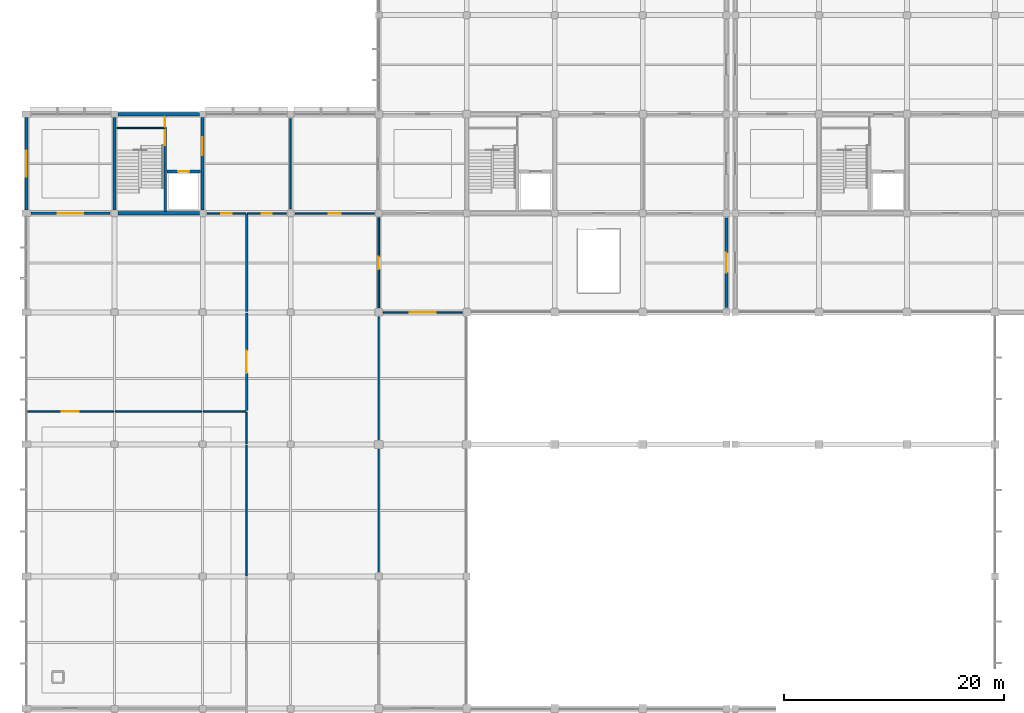
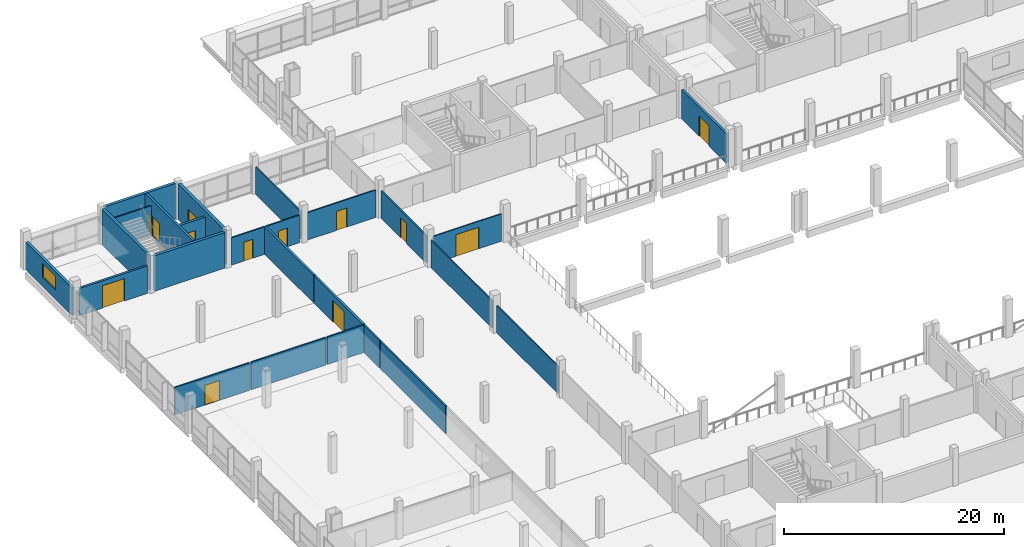
# One storey, part 43 of 57: 25 walls, 13 doors, 1 window, 14 openings.
"""IFC4 building model written with IfcOpenShell, lengths in metres."""

from ifc_helpers import new_model, si_unit, direction, frame, frame_2d, origin, place, context, subcontext, project, spatial, rectangle, extrude, material, layer, layer_set, type_object, element, fill, save


model = new_model("IFC4")

# Units and contexts
model_context = context("Model", 3, precision=1e-05, world=origin(), true_north=direction((0.0, 1.0)))
body_context = subcontext(model_context, "Body", "Model", "MODEL_VIEW")
ifc_project = project(units=[si_unit("LENGTHUNIT", "METRE"), si_unit("AREAUNIT", "SQUARE_METRE"), si_unit("VOLUMEUNIT", "CUBIC_METRE"), si_unit("PLANEANGLEUNIT", "RADIAN"), si_unit("MASSUNIT", "GRAM", prefix="KILO"), si_unit("THERMODYNAMICTEMPERATUREUNIT", "KELVIN"), si_unit("POWERUNIT", "WATT")], contexts=[model_context])

# Site, building, storey
site_placement = place(None, origin())
site = spatial("IfcSite", under=ifc_project, at=site_placement, CompositionType="ELEMENT")
building_placement = place(site_placement, origin())
building = spatial("IfcBuilding", under=site, at=building_placement, Name="Kronsvod Quay Wholesale Market", CompositionType="ELEMENT")
storey_placement = place(building_placement, frame((0.0, 0.0, 4.800048828125)))
storey = spatial("IfcBuildingStorey", under=building, at=storey_placement, Name="L01", CompositionType="ELEMENT", Elevation=4.800048828125)

# Walls
ifc_material_1 = material(Name="Concrete C35/45", Category="concrete")
ifc_layer_1 = layer(ifc_material_1, 0.300048828125)
ifc_layer_set_1 = layer_set([ifc_layer_1], Name="Concrete C35/45")
wall_type_1 = type_object("IfcWallType", Name="Wall_CoreShear300", PredefinedType="SHEAR", material=ifc_layer_set_1)
for number, where, z_axis, x_axis, name in (
    (1, (8.294921875, 99.0, 0.0), (0.0, 0.0, 1.0), (1.0, 0.0, 0.0), "CW-C02-L01-S"),
    (2, (8.294921875, 108.0, 0.0), (0.0, 0.0, 1.0), (1.0, 0.0, 0.0), "CW-C02-L01-N"),
):
    element("IfcWall", number, at=place(storey_placement, frame(where, z_axis=z_axis, x_axis=x_axis)), inside=storey, type_object=wall_type_1, Name=name, PredefinedType="SHEAR", context=body_context, shape_type="SweptSolid", body=[
        extrude(rectangle(XDim=7.41015625, YDim=0.300048828125, at=frame_2d((3.705078125, 0.0))), origin(), (0.0, 0.0, 1.0), 3.93505859375),
    ])
wall_1_placement = place(storey_placement, frame((8.0, 99.294921875, 0.0), z_axis=(0.0, 0.0, 1.0), x_axis=(0.0, 1.0, 0.0)))
element("IfcWall", 3, at=wall_1_placement, inside=storey, type_object=wall_type_1, Name="CW-C02-L01-W", PredefinedType="SHEAR", context=body_context, shape_type="SweptSolid", body=[
    extrude(rectangle(XDim=8.41015625, YDim=0.300048828125, at=frame_2d((4.205078125, 0.0))), origin(), (0.0, 0.0, 1.0), 3.93505859375),
])

# Wall, opening, door
wall_2_placement = place(storey_placement, frame((16.0, 99.294921875, 0.0), z_axis=(0.0, 0.0, 1.0), x_axis=(0.0, 1.0, 0.0)))
wall_2 = element("IfcWall", 4, at=wall_2_placement, inside=storey, type_object=wall_type_1, Name="CW-C02-L01-E", PredefinedType="SHEAR", context=body_context, shape_type="SweptSolid", body=[
    extrude(rectangle(XDim=8.41015625, YDim=0.300048828125, at=frame_2d((4.205078125, 0.0))), origin(), (0.0, 0.0, 1.0), 3.93505859375),
])
opening_1_placement = place(wall_2_placement, frame((5.0, 0.0, 0.0)))
opening_1 = element("IfcOpeningElement", 5, at=opening_1_placement, cuts=wall_2, Name="Opening D-0015", PredefinedType="OPENING", context=body_context, shape_type="SweptSolid", body=[
    extrude(rectangle(XDim=1.60009765625, YDim=2.199951171875, at=frame_2d((0.800048828125, 1.10009765625))), frame((0.0, 0.16015625, 0.0), z_axis=(0.0, -1.0, 0.0), x_axis=(1.0, 0.0, 0.0)), (0.0, 0.0, 1.0), 0.320068359375),
])
ifc_material_2 = material(Name="Painted galvanized fire steel", Category="steel")
door_type_1 = type_object("IfcDoorType", Name="Door_FireLobby160x220", OperationType="DOUBLE_DOOR_SINGLE_SWING", PredefinedType="DOOR", material=ifc_material_2)
door_1_placement = place(opening_1_placement, origin())
door_1 = element("IfcDoor", 6, at=door_1_placement, inside=storey, type_object=door_type_1, Name="Core Lobby Door D-0015", OperationType="DOUBLE_DOOR_SINGLE_SWING", OverallHeight=2.199951171875, OverallWidth=1.60009765625, PredefinedType="DOOR", context=body_context, shape_type="SweptSolid", body=[
    extrude(rectangle(XDim=1.60009765625, YDim=2.199951171875, at=frame_2d((0.800048828125, 1.10009765625))), frame((0.0, 0.02490234375, 0.0), z_axis=(0.0, -1.0, 0.0), x_axis=(1.0, 0.0, 0.0)), (0.0, 0.0, 1.0), 0.050048828125),
])
fill(opening_1, door_1)

# Wall, opening, window
ifc_material_3 = material(Name="Precast concrete C40/50", Category="concrete")
ifc_layer_2 = layer(ifc_material_3, 0.280029296875)
ifc_layer_set_2 = layer_set([ifc_layer_2], Name="Precast concrete C40/50")
wall_type_2 = type_object("IfcWallType", Name="Wall_ExtPrecast280", PredefinedType="SOLIDWALL", material=ifc_layer_set_2)
wall_3_placement = place(storey_placement, frame((0.0, 107.705078125, 0.0), z_axis=(0.0, 0.0, 1.0), x_axis=(0.0, -1.0, 0.0)))
wall_3 = element("IfcWall", 7, at=wall_3_placement, inside=storey, type_object=wall_type_2, Name="EW-Y-L01-0107", PredefinedType="SOLIDWALL", context=body_context, shape_type="SweptSolid", body=[
    extrude(rectangle(XDim=8.41015625, YDim=0.280029296875, at=frame_2d((4.205078125, 0.0))), origin(), (0.0, 0.0, 1.0), 3.050048828125),
])
opening_2_placement = place(wall_3_placement, frame((3.0048828125, 0.0, 1.0)))
opening_2 = element("IfcOpeningElement", 8, at=opening_2_placement, cuts=wall_3, Name="Opening WIN-07", PredefinedType="OPENING", context=body_context, shape_type="SweptSolid", body=[
    extrude(rectangle(XDim=2.39990234375, YDim=1.550048828125, at=frame_2d((1.199951171875, 0.77490234375))), frame((0.0, 0.14990234375, 0.0), z_axis=(0.0, -1.0, 0.0), x_axis=(1.0, 0.0, 0.0)), (0.0, 0.0, 1.0), 0.300048828125),
])
ifc_material_4 = material(Name="Thermally broken aluminium and triple low-E glazing", Category="aluminium")
window_type = type_object("IfcWindowType", Name="Win_W07", PartitioningType="DOUBLE_PANEL_VERTICAL", PredefinedType="WINDOW", material=ifc_material_4)
window_placement = place(opening_2_placement, origin())
window = element("IfcWindow", 9, at=window_placement, inside=storey, type_object=window_type, Name="WIN-Y-L01-0007", OverallHeight=1.550048828125, OverallWidth=2.39990234375, PartitioningType="SINGLE_PANEL", PredefinedType="WINDOW", context=body_context, shape_type="SweptSolid", body=[
    extrude(rectangle(XDim=2.39990234375, YDim=1.550048828125, at=frame_2d((1.199951171875, 0.77490234375))), frame((0.0, 0.030029296875, 0.0), z_axis=(0.0, -1.0, 0.0), x_axis=(1.0, 0.0, 0.0)), (0.0, 0.0, 1.0), 0.06005859375),
])
fill(opening_2, window)

# Wall, opening, door
ifc_material_5 = material(Name="Precast concrete C40/50", Category="concrete")
ifc_layer_3 = layer(ifc_material_5, 0.239990234375)
ifc_layer_set_3 = layer_set([ifc_layer_3], Name="Precast concrete C40/50")
wall_type_3 = type_object("IfcWallType", Name="Wall_ExtSpandrel240", PredefinedType="SOLIDWALL", material=ifc_layer_set_3)
wall_4_placement = place(storey_placement, frame((63.60009765625, 90.419921875, 0.0), z_axis=(0.0, 0.0, 1.0), x_axis=(0.0, 1.0, 0.0)))
wall_4 = element("IfcWall", 10, at=wall_4_placement, inside=storey, type_object=wall_type_3, Name="MJWG-L01-636-900", PredefinedType="SOLIDWALL", context=body_context, shape_type="SweptSolid", body=[
    extrude(rectangle(XDim=8.16015625, YDim=0.239990234375, at=frame_2d((4.080078125, 0.0))), origin(), (0.0, 0.0, 1.0), 3.239990234375),
])
opening_3_placement = place(wall_4_placement, frame((3.179931640625, 0.0, 0.0)))
opening_3 = element("IfcOpeningElement", 11, at=opening_3_placement, cuts=wall_4, Name="Opening D-0352", PredefinedType="OPENING", context=body_context, shape_type="SweptSolid", body=[
    extrude(rectangle(XDim=1.800048828125, YDim=2.300048828125, at=frame_2d((0.89990234375, 1.14990234375))), frame((0.0, 0.1298828125, 0.0), z_axis=(0.0, -1.0, 0.0), x_axis=(1.0, 0.0, 0.0)), (0.0, 0.0, 1.0), 0.260009765625),
])
ifc_material_6 = material(Name="Painted galvanized fire steel", Category="steel")
door_type_2 = type_object("IfcDoorType", Name="Door_FireComp180x230", OperationType="DOUBLE_DOOR_SINGLE_SWING", PredefinedType="DOOR", material=ifc_material_6)
door_2_placement = place(opening_3_placement, origin())
door_2 = element("IfcDoor", 12, at=door_2_placement, inside=storey, type_object=door_type_2, Name="Fire Compartment Door D-0352", OperationType="DOUBLE_DOOR_SINGLE_SWING", OverallHeight=2.300048828125, OverallWidth=1.800048828125, PredefinedType="DOOR", context=body_context, shape_type="SweptSolid", body=[
    extrude(rectangle(XDim=1.800048828125, YDim=2.300048828125, at=frame_2d((0.89990234375, 1.14990234375))), frame((0.0, 0.02490234375, 0.0), z_axis=(0.0, -1.0, 0.0), x_axis=(1.0, 0.0, 0.0)), (0.0, 0.0, 1.0), 0.050048828125),
])
fill(opening_3, door_2)

ifc_material_7 = material(Name="Concrete C35/45", Category="concrete")
ifc_layer_4 = layer(ifc_material_7, 0.219970703125)
ifc_layer_set_4 = layer_set([ifc_layer_4], Name="Concrete C35/45")
wall_type_4 = type_object("IfcWallType", Name="Wall_FireComp220", PredefinedType="SOLIDWALL", material=ifc_layer_set_4)
wall_5_placement = place(storey_placement, frame((20.0, 81.080078125, 0.0), z_axis=(0.0, 0.0, 1.0), x_axis=(0.0, 1.0, 0.0)))
wall_5 = element("IfcWall", 13, at=wall_5_placement, inside=storey, type_object=wall_type_4, Name="PW-L01-0018", PredefinedType="SOLIDWALL", context=body_context, shape_type="SweptSolid", body=[
    extrude(rectangle(XDim=8.85986328125, YDim=0.219970703125, at=frame_2d((4.429931640625, 0.0))), origin(), (0.0, 0.0, 1.0), 3.050048828125),
])
opening_4_placement = place(wall_5_placement, frame((3.405029296875, 0.0, 0.0)))
opening_4 = element("IfcOpeningElement", 14, at=opening_4_placement, cuts=wall_5, Name="Opening D-0219", PredefinedType="OPENING", context=body_context, shape_type="SweptSolid", body=[
    extrude(rectangle(XDim=2.050048828125, YDim=2.39990234375, at=frame_2d((1.02490234375, 1.199951171875))), frame((0.0, 0.1201171875, 0.0), z_axis=(0.0, -1.0, 0.0), x_axis=(1.0, 0.0, 0.0)), (0.0, 0.0, 1.0), 0.239990234375),
])
ifc_material_8 = material(Name="Impact-protected warehouse double door", Category="steel")
door_type_3 = type_object("IfcDoorType", Name="Door_Sorting205x240", OperationType="DOUBLE_DOOR_SINGLE_SWING", PredefinedType="DOOR", material=ifc_material_8)
door_3_placement = place(opening_4_placement, origin())
door_3 = element("IfcDoor", 15, at=door_3_placement, inside=storey, type_object=door_type_3, Name="Interior Door D-0219", OperationType="DOUBLE_DOOR_SINGLE_SWING", OverallHeight=2.39990234375, OverallWidth=2.050048828125, PredefinedType="DOOR", context=body_context, shape_type="SweptSolid", body=[
    extrude(rectangle(XDim=2.050048828125, YDim=2.39990234375, at=frame_2d((1.02490234375, 1.199951171875))), frame((0.0, 0.02490234375, 0.0), z_axis=(0.0, -1.0, 0.0), x_axis=(1.0, 0.0, 0.0)), (0.0, 0.0, 1.0), 0.050048828125),
])
fill(opening_4, door_3)

# Wall
wall_6_placement = place(storey_placement, frame((20.0, 90.06005859375, 0.0), z_axis=(0.0, 0.0, 1.0), x_axis=(0.0, 1.0, 0.0)))
element("IfcWall", 16, at=wall_6_placement, inside=storey, type_object=wall_type_4, Name="PW-L01-0019", PredefinedType="SOLIDWALL", context=body_context, shape_type="SweptSolid", body=[
    extrude(rectangle(XDim=8.8798828125, YDim=0.219970703125, at=frame_2d((4.43994140625, 0.0))), origin(), (0.0, 0.0, 1.0), 3.050048828125),
])

# Wall, opening, door
wall_7_placement = place(storey_placement, frame((0.419921875, 99.0, 0.0), z_axis=(0.0, 0.0, 1.0), x_axis=(1.0, 0.0, 0.0)))
wall_7 = element("IfcWall", 17, at=wall_7_placement, inside=storey, type_object=wall_type_4, Name="PW-L01-0020", PredefinedType="SOLIDWALL", context=body_context, shape_type="SweptSolid", body=[
    extrude(rectangle(XDim=7.16015625, YDim=0.219970703125, at=frame_2d((3.580078125, 0.0))), origin(), (0.0, 0.0, 1.0), 3.050048828125),
])
opening_5_placement = place(wall_7_placement, frame((2.429931640625, 0.0, 0.0)))
opening_5 = element("IfcOpeningElement", 18, at=opening_5_placement, cuts=wall_7, Name="Opening D-0220", PredefinedType="OPENING", context=body_context, shape_type="SweptSolid", body=[
    extrude(rectangle(XDim=2.300048828125, YDim=2.5, at=frame_2d((1.14990234375, 1.25))), frame((0.0, 0.1201171875, 0.0), z_axis=(0.0, -1.0, 0.0), x_axis=(1.0, 0.0, 0.0)), (0.0, 0.0, 1.0), 0.239990234375),
])
ifc_material_9 = material(Name="Impact-protected warehouse double door", Category="steel")
door_type_4 = type_object("IfcDoorType", Name="Door_Sorting230x250", OperationType="DOUBLE_DOOR_SINGLE_SWING", PredefinedType="DOOR", material=ifc_material_9)
door_4_placement = place(opening_5_placement, origin())
door_4 = element("IfcDoor", 19, at=door_4_placement, inside=storey, type_object=door_type_4, Name="Interior Door D-0220", OperationType="DOUBLE_DOOR_SINGLE_SWING", OverallHeight=2.5, OverallWidth=2.300048828125, PredefinedType="DOOR", context=body_context, shape_type="SweptSolid", body=[
    extrude(rectangle(XDim=2.300048828125, YDim=2.5, at=frame_2d((1.14990234375, 1.25))), frame((0.0, 0.02490234375, 0.0), z_axis=(0.0, -1.0, 0.0), x_axis=(1.0, 0.0, 0.0)), (0.0, 0.0, 1.0), 0.050048828125),
])
fill(opening_5, door_4)

ifc_material_10 = material(Name="Fire-rated corridor gypsum partition")
ifc_layer_5 = layer(ifc_material_10, 0.159912109375)
ifc_layer_set_5 = layer_set([ifc_layer_5], Name="Fire-rated corridor gypsum partition")
wall_type_5 = type_object("IfcWallType", Name="Wall_PartCorridor160", PredefinedType="PARTITIONING", material=ifc_layer_set_5)
wall_8_placement = place(storey_placement, frame((32.0, 90.419921875, 0.0), z_axis=(0.0, 0.0, 1.0), x_axis=(0.0, 1.0, 0.0)))
wall_8 = element("IfcWall", 20, at=wall_8_placement, inside=storey, type_object=wall_type_5, Name="PW-L01-0030", PredefinedType="PARTITIONING", context=body_context, shape_type="SweptSolid", body=[
    extrude(rectangle(XDim=8.16015625, YDim=0.159912109375, at=frame_2d((4.080078125, 0.0))), origin(), (0.0, 0.0, 1.0), 3.050048828125),
])
opening_6_placement = place(wall_8_placement, frame((3.510009765625, 0.0, 0.0)))
opening_6 = element("IfcOpeningElement", 21, at=opening_6_placement, cuts=wall_8, Name="Opening D-0228", PredefinedType="OPENING", context=body_context, shape_type="SweptSolid", body=[
    extrude(rectangle(XDim=1.139892578125, YDim=2.18994140625, at=frame_2d((0.56982421875, 1.094970703125))), frame((0.0, 0.08984375, 0.0), z_axis=(0.0, -1.0, 0.0), x_axis=(1.0, 0.0, 0.0)), (0.0, 0.0, 1.0), 0.179931640625),
])
ifc_material_11 = material(Name="Solid-core timber office door", Category="wood")
door_type_5 = type_object("IfcDoorType", Name="Door_Office114x219", OperationType="NOTDEFINED", PredefinedType="DOOR", material=ifc_material_11)
door_5_placement = place(opening_6_placement, origin())
door_5 = element("IfcDoor", 22, at=door_5_placement, inside=storey, type_object=door_type_5, Name="Interior Door D-0228", OperationType="SINGLE_SWING_RIGHT", OverallHeight=2.18994140625, OverallWidth=1.139892578125, PredefinedType="DOOR", context=body_context, shape_type="SweptSolid", body=[
    extrude(rectangle(XDim=1.139892578125, YDim=2.18994140625, at=frame_2d((0.56982421875, 1.094970703125))), frame((0.0, 0.02490234375, 0.0), z_axis=(0.0, -1.0, 0.0), x_axis=(1.0, 0.0, 0.0)), (0.0, 0.0, 1.0), 0.050048828125),
])
fill(opening_6, door_5)

# Walls
ifc_material_12 = material(Name="Double-glazed gallery screen partition", Category="glass")
ifc_layer_6 = layer(ifc_material_12, 0.10791015625)
ifc_layer_set_6 = layer_set([ifc_layer_6], Name="Double-glazed gallery screen partition")
wall_type_6 = type_object("IfcWallType", Name="Wall_PartGlazed108", PredefinedType="PARTITIONING", material=ifc_layer_set_6)
for number, where, z_axis, x_axis, name in (
    (23, (32.0, 66.419921875, 0.0), (0.0, 0.0, 1.0), (0.0, 1.0, 0.0), "PW-L01-0028"),
    (24, (32.0, 78.419921875, 0.0), (0.0, 0.0, 1.0), (0.0, 1.0, 0.0), "PW-L01-0029"),
):
    element("IfcWall", number, at=place(storey_placement, frame(where, z_axis=z_axis, x_axis=x_axis)), inside=storey, type_object=wall_type_6, Name=name, PredefinedType="PARTITIONING", context=body_context, shape_type="SweptSolid", body=[
        extrude(rectangle(XDim=11.16015625, YDim=0.10791015625, at=frame_2d((5.580078125, 0.0))), origin(), (0.0, 0.0, 1.0), 3.050048828125),
    ])

# Wall, opening, door
ifc_material_13 = material(Name="Framed acoustic glass hall partition", Category="glass")
ifc_layer_7 = layer(ifc_material_13, 0.114990234375)
ifc_layer_set_7 = layer_set([ifc_layer_7], Name="Framed acoustic glass hall partition")
wall_type_7 = type_object("IfcWallType", Name="Wall_PartGlazed115", PredefinedType="PARTITIONING", material=ifc_layer_set_7)
wall_9_placement = place(storey_placement, frame((32.419921875, 90.0, 0.0), z_axis=(0.0, 0.0, 1.0), x_axis=(1.0, 0.0, 0.0)))
wall_9 = element("IfcWall", 25, at=wall_9_placement, inside=storey, type_object=wall_type_7, Name="PW-L01-0060", PredefinedType="PARTITIONING", context=body_context, shape_type="SweptSolid", body=[
    extrude(rectangle(XDim=7.16015625, YDim=0.114990234375, at=frame_2d((3.580078125, 0.0))), origin(), (0.0, 0.0, 1.0), 3.050048828125),
])
opening_7_placement = place(wall_9_placement, frame((2.3798828125, 0.0, 0.0)))
opening_7 = element("IfcOpeningElement", 26, at=opening_7_placement, cuts=wall_9, Name="Opening D-0245", PredefinedType="OPENING", context=body_context, shape_type="SweptSolid", body=[
    extrude(rectangle(XDim=2.39990234375, YDim=2.39990234375, at=frame_2d((1.199951171875, 1.199951171875))), frame((0.0, 0.0673828125, 0.0), z_axis=(0.0, -1.0, 0.0), x_axis=(1.0, 0.0, 0.0)), (0.0, 0.0, 1.0), 0.135009765625),
])
ifc_material_14 = material(Name="Glazed aluminium hall portal", Category="aluminium")
door_type_6 = type_object("IfcDoorType", Name="Door_HallPortal240x240", OperationType="DOUBLE_DOOR_SINGLE_SWING", PredefinedType="DOOR", material=ifc_material_14)
door_6_placement = place(opening_7_placement, origin())
door_6 = element("IfcDoor", 27, at=door_6_placement, inside=storey, type_object=door_type_6, Name="Interior Door D-0245", OperationType="DOUBLE_DOOR_SINGLE_SWING", OverallHeight=2.39990234375, OverallWidth=2.39990234375, PredefinedType="DOOR", context=body_context, shape_type="SweptSolid", body=[
    extrude(rectangle(XDim=2.39990234375, YDim=2.39990234375, at=frame_2d((1.199951171875, 1.199951171875))), frame((0.0, 0.02490234375, 0.0), z_axis=(0.0, -1.0, 0.0), x_axis=(1.0, 0.0, 0.0)), (0.0, 0.0, 1.0), 0.050048828125),
])
fill(opening_7, door_6)

ifc_material_15 = material(Name="Hygienic washable laboratory partition")
ifc_layer_8 = layer(ifc_material_15, 0.14990234375)
ifc_layer_set_8 = layer_set([ifc_layer_8], Name="Hygienic washable laboratory partition")
wall_type_8 = type_object("IfcWallType", Name="Wall_PartLab150", PredefinedType="PARTITIONING", material=ifc_layer_set_8)
wall_10_placement = place(storey_placement, frame((0.06005859375, 81.0, 0.0), z_axis=(0.0, 0.0, 1.0), x_axis=(1.0, 0.0, 0.0)))
wall_10 = element("IfcWall", 28, at=wall_10_placement, inside=storey, type_object=wall_type_8, Name="PW-L01-0012", PredefinedType="PARTITIONING", context=body_context, shape_type="SweptSolid", body=[
    extrude(rectangle(XDim=7.85986328125, YDim=0.14990234375, at=frame_2d((3.929931640625, 0.0))), origin(), (0.0, 0.0, 1.0), 3.050048828125),
])
opening_8_placement = place(wall_10_placement, frame((3.155029296875, 0.0, 0.0)))
opening_8 = element("IfcOpeningElement", 29, at=opening_8_placement, cuts=wall_10, Name="Opening D-0217", PredefinedType="OPENING", context=body_context, shape_type="SweptSolid", body=[
    extrude(rectangle(XDim=1.550048828125, YDim=2.199951171875, at=frame_2d((0.77490234375, 1.10009765625))), frame((0.0, 0.0849609375, 0.0), z_axis=(0.0, -1.0, 0.0), x_axis=(1.0, 0.0, 0.0)), (0.0, 0.0, 1.0), 0.169921875),
])
ifc_material_16 = material(Name="Hygienic phenolic laboratory door", Category="aluminium")
door_type_7 = type_object("IfcDoorType", Name="Door_LabDouble155x220", OperationType="DOUBLE_DOOR_SINGLE_SWING", PredefinedType="DOOR", material=ifc_material_16)
door_7_placement = place(opening_8_placement, origin())
door_7 = element("IfcDoor", 30, at=door_7_placement, inside=storey, type_object=door_type_7, Name="Interior Door D-0217", OperationType="DOUBLE_DOOR_SINGLE_SWING", OverallHeight=2.199951171875, OverallWidth=1.550048828125, PredefinedType="DOOR", context=body_context, shape_type="SweptSolid", body=[
    extrude(rectangle(XDim=1.550048828125, YDim=2.199951171875, at=frame_2d((0.77490234375, 1.10009765625))), frame((0.0, 0.02490234375, 0.0), z_axis=(0.0, -1.0, 0.0), x_axis=(1.0, 0.0, 0.0)), (0.0, 0.0, 1.0), 0.050048828125),
])
fill(opening_8, door_7)

# Walls
wall_11_placement = place(storey_placement, frame((8.080078125, 81.0, 0.0), z_axis=(0.0, 0.0, 1.0), x_axis=(1.0, 0.0, 0.0)))
element("IfcWall", 31, at=wall_11_placement, inside=storey, type_object=wall_type_8, Name="PW-L01-0013", PredefinedType="PARTITIONING", context=body_context, shape_type="SweptSolid", body=[
    extrude(rectangle(XDim=7.83984375, YDim=0.14990234375, at=frame_2d((3.919921875, 0.0))), origin(), (0.0, 0.0, 1.0), 3.050048828125),
])
wall_12_placement = place(storey_placement, frame((16.080078125, 81.0, 0.0), z_axis=(0.0, 0.0, 1.0), x_axis=(1.0, 0.0, 0.0)))
element("IfcWall", 32, at=wall_12_placement, inside=storey, type_object=wall_type_8, Name="PW-L01-0014", PredefinedType="PARTITIONING", context=body_context, shape_type="SweptSolid", body=[
    extrude(rectangle(XDim=3.83984375, YDim=0.14990234375, at=frame_2d((1.919921875, 0.0))), origin(), (0.0, 0.0, 1.0), 3.050048828125),
])
wall_13_placement = place(storey_placement, frame((20.0, 66.080078125, 0.0), z_axis=(0.0, 0.0, 1.0), x_axis=(0.0, 1.0, 0.0)))
element("IfcWall", 33, at=wall_13_placement, inside=storey, type_object=wall_type_8, Name="PW-L01-0016", PredefinedType="PARTITIONING", context=body_context, shape_type="SweptSolid", body=[
    extrude(rectangle(XDim=11.83984375, YDim=0.14990234375, at=frame_2d((5.919921875, 0.0))), origin(), (0.0, 0.0, 1.0), 3.050048828125),
])
wall_14_placement = place(storey_placement, frame((20.0, 78.080078125, 0.0), z_axis=(0.0, 0.0, 1.0), x_axis=(0.0, 1.0, 0.0)))
element("IfcWall", 34, at=wall_14_placement, inside=storey, type_object=wall_type_8, Name="PW-L01-0017", PredefinedType="PARTITIONING", context=body_context, shape_type="SweptSolid", body=[
    extrude(rectangle(XDim=2.83984375, YDim=0.14990234375, at=frame_2d((1.419921875, 0.0))), origin(), (0.0, 0.0, 1.0), 3.050048828125),
])
ifc_material_17 = material(Name="Fire-rated shaft riser block wall", Category="masonry")
ifc_layer_9 = layer(ifc_material_17, 0.1298828125)
ifc_layer_set_9 = layer_set([ifc_layer_9], Name="Fire-rated shaft riser block wall")
wall_type_9 = type_object("IfcWallType", Name="Wall_PartRiser130", PredefinedType="PARTITIONING", material=ifc_layer_set_9)
wall_15_placement = place(storey_placement, frame((8.179931640625, 106.75, 0.0), z_axis=(0.0, 0.0, 1.0), x_axis=(1.0, 0.0, 0.0)))
element("IfcWall", 35, at=wall_15_placement, inside=storey, type_object=wall_type_9, Name="CW-C02-L01-RSR", PredefinedType="PARTITIONING", context=body_context, shape_type="SweptSolid", body=[
    extrude(rectangle(XDim=4.280029296875, YDim=0.1298828125, at=frame_2d((2.14013671875, 0.0))), origin(), (0.0, 0.0, 1.0), 3.284912109375),
])

# Wall, opening, door
ifc_material_18 = material(Name="Moisture-resistant sanitary block partition", Category="masonry")
ifc_layer_10 = layer(ifc_material_18, 0.135009765625)
ifc_layer_set_10 = layer_set([ifc_layer_10], Name="Moisture-resistant sanitary block partition")
wall_type_10 = type_object("IfcWallType", Name="Wall_PartWet135", PredefinedType="PLUMBINGWALL", material=ifc_layer_set_10)
wall_16_placement = place(storey_placement, frame((16.419921875, 99.0, 0.0), z_axis=(0.0, 0.0, 1.0), x_axis=(1.0, 0.0, 0.0)))
wall_16 = element("IfcWall", 36, at=wall_16_placement, inside=storey, type_object=wall_type_10, Name="PW-L01-0021", PredefinedType="PLUMBINGWALL", context=body_context, shape_type="SweptSolid", body=[
    extrude(rectangle(XDim=3.52001953125, YDim=0.135009765625, at=frame_2d((1.760009765625, 0.0))), origin(), (0.0, 0.0, 1.0), 3.050048828125),
])
opening_9_placement = place(wall_16_placement, frame((1.284912109375, 0.0, 0.0)))
opening_9 = element("IfcOpeningElement", 37, at=opening_9_placement, cuts=wall_16, Name="Opening D-0221", PredefinedType="OPENING", context=body_context, shape_type="SweptSolid", body=[
    extrude(rectangle(XDim=0.949951171875, YDim=2.10009765625, at=frame_2d((0.47509765625, 1.050048828125))), frame((0.0, 0.07763671875, 0.0), z_axis=(0.0, -1.0, 0.0), x_axis=(1.0, 0.0, 0.0)), (0.0, 0.0, 1.0), 0.155029296875),
])
ifc_material_19 = material(Name="Moisture-resistant laminate door", Category="wood")
door_type_8 = type_object("IfcDoorType", Name="Door_WC95x210", OperationType="NOTDEFINED", PredefinedType="DOOR", material=ifc_material_19)
door_8_placement = place(opening_9_placement, origin())
door_8 = element("IfcDoor", 38, at=door_8_placement, inside=storey, type_object=door_type_8, Name="Interior Door D-0221", OperationType="SINGLE_SWING_RIGHT", OverallHeight=2.10009765625, OverallWidth=0.949951171875, PredefinedType="DOOR", context=body_context, shape_type="SweptSolid", body=[
    extrude(rectangle(XDim=0.949951171875, YDim=2.10009765625, at=frame_2d((0.47509765625, 1.050048828125))), frame((0.0, 0.02490234375, 0.0), z_axis=(0.0, -1.0, 0.0), x_axis=(1.0, 0.0, 0.0)), (0.0, 0.0, 1.0), 0.050048828125),
])
fill(opening_9, door_8)

wall_17_placement = place(storey_placement, frame((20.06005859375, 99.0, 0.0), z_axis=(0.0, 0.0, 1.0), x_axis=(1.0, 0.0, 0.0)))
wall_17 = element("IfcWall", 39, at=wall_17_placement, inside=storey, type_object=wall_type_10, Name="PW-L01-0022", PredefinedType="PLUMBINGWALL", context=body_context, shape_type="SweptSolid", body=[
    extrude(rectangle(XDim=3.52001953125, YDim=0.135009765625, at=frame_2d((1.760009765625, 0.0))), origin(), (0.0, 0.0, 1.0), 3.050048828125),
])
opening_10_placement = place(wall_17_placement, frame((1.300048828125, 0.0, 0.0)))
opening_10 = element("IfcOpeningElement", 40, at=opening_10_placement, cuts=wall_17, Name="Opening D-0222", PredefinedType="OPENING", context=body_context, shape_type="SweptSolid", body=[
    extrude(rectangle(XDim=0.919921875, YDim=2.080078125, at=frame_2d((0.4599609375, 1.0400390625))), frame((0.0, 0.07763671875, 0.0), z_axis=(0.0, -1.0, 0.0), x_axis=(1.0, 0.0, 0.0)), (0.0, 0.0, 1.0), 0.155029296875),
])
ifc_material_20 = material(Name="Moisture-resistant laminate door", Category="wood")
door_type_9 = type_object("IfcDoorType", Name="Door_WC92x208", OperationType="NOTDEFINED", PredefinedType="DOOR", material=ifc_material_20)
door_9_placement = place(opening_10_placement, origin())
door_9 = element("IfcDoor", 41, at=door_9_placement, inside=storey, type_object=door_type_9, Name="Interior Door D-0222", OperationType="SINGLE_SWING_LEFT", OverallHeight=2.080078125, OverallWidth=0.919921875, PredefinedType="DOOR", context=body_context, shape_type="SweptSolid", body=[
    extrude(rectangle(XDim=0.919921875, YDim=2.080078125, at=frame_2d((0.4599609375, 1.0400390625))), frame((0.0, 0.02490234375, 0.0), z_axis=(0.0, -1.0, 0.0), x_axis=(1.0, 0.0, 0.0)), (0.0, 0.0, 1.0), 0.050048828125),
])
fill(opening_10, door_9)

wall_18_placement = place(storey_placement, frame((24.419921875, 99.0, 0.0), z_axis=(0.0, 0.0, 1.0), x_axis=(1.0, 0.0, 0.0)))
wall_18 = element("IfcWall", 42, at=wall_18_placement, inside=storey, type_object=wall_type_10, Name="PW-L01-0023", PredefinedType="PLUMBINGWALL", context=body_context, shape_type="SweptSolid", body=[
    extrude(rectangle(XDim=7.16015625, YDim=0.135009765625, at=frame_2d((3.580078125, 0.0))), origin(), (0.0, 0.0, 1.0), 3.050048828125),
])
opening_11_placement = place(wall_18_placement, frame((3.0400390625, 0.0, 0.0)))
opening_11 = element("IfcOpeningElement", 43, at=opening_11_placement, cuts=wall_18, Name="Opening D-0223", PredefinedType="OPENING", context=body_context, shape_type="SweptSolid", body=[
    extrude(rectangle(XDim=1.080078125, YDim=2.1201171875, at=frame_2d((0.5400390625, 1.06005859375))), frame((0.0, 0.07763671875, 0.0), z_axis=(0.0, -1.0, 0.0), x_axis=(1.0, 0.0, 0.0)), (0.0, 0.0, 1.0), 0.155029296875),
])
ifc_material_21 = material(Name="Accessible outward-swing laminate door", Category="wood")
door_type_10 = type_object("IfcDoorType", Name="Door_AccWC108x212", OperationType="NOTDEFINED", PredefinedType="DOOR", material=ifc_material_21)
door_10_placement = place(opening_11_placement, origin())
door_10 = element("IfcDoor", 44, at=door_10_placement, inside=storey, type_object=door_type_10, Name="Interior Door D-0223", OperationType="SINGLE_SWING_RIGHT", OverallHeight=2.1201171875, OverallWidth=1.080078125, PredefinedType="DOOR", context=body_context, shape_type="SweptSolid", body=[
    extrude(rectangle(XDim=1.080078125, YDim=2.1201171875, at=frame_2d((0.5400390625, 1.06005859375))), frame((0.0, 0.02490234375, 0.0), z_axis=(0.0, -1.0, 0.0), x_axis=(1.0, 0.0, 0.0)), (0.0, 0.0, 1.0), 0.050048828125),
])
fill(opening_11, door_10)

# Wall
wall_19_placement = place(storey_placement, frame((24.0, 99.419921875, 0.0), z_axis=(0.0, 0.0, 1.0), x_axis=(0.0, 1.0, 0.0)))
element("IfcWall", 45, at=wall_19_placement, inside=storey, type_object=wall_type_10, Name="PW-L01-0031", PredefinedType="PLUMBINGWALL", context=body_context, shape_type="SweptSolid", body=[
    extrude(rectangle(XDim=8.16015625, YDim=0.135009765625, at=frame_2d((4.080078125, 0.0))), origin(), (0.0, 0.0, 1.0), 3.050048828125),
])

# Wall, openings, doors
ifc_material_22 = material(Name="Concrete C35/45", Category="concrete")
ifc_layer_11 = layer(ifc_material_22, 0.239990234375)
ifc_layer_set_11 = layer_set([ifc_layer_11], Name="Concrete C35/45")
wall_type_11 = type_object("IfcWallType", Name="Wall_ShaftWall240", PredefinedType="SHEAR", material=ifc_layer_set_11)
wall_20_placement = place(storey_placement, frame((12.60009765625, 99.179931640625, 0.0), z_axis=(0.0, 0.0, 1.0), x_axis=(0.0, 1.0, 0.0)))
wall_20 = element("IfcWall", 46, at=wall_20_placement, inside=storey, type_object=wall_type_11, Name="CW-C02-L01-DIV", PredefinedType="SHEAR", context=body_context, shape_type="SweptSolid", body=[
    extrude(rectangle(XDim=8.64013671875, YDim=0.239990234375, at=frame_2d((4.320068359375, 0.0))), origin(), (0.0, 0.0, 1.0), 3.93505859375),
])
opening_12_placement = place(wall_20_placement, frame((6.02001953125, 0.0, 0.0)))
opening_12 = element("IfcOpeningElement", 47, at=opening_12_placement, cuts=wall_20, Name="Opening D-0013", PredefinedType="OPENING", context=body_context, shape_type="SweptSolid", body=[
    extrude(rectangle(XDim=1.35009765625, YDim=2.199951171875, at=frame_2d((0.675048828125, 1.10009765625))), frame((0.0, 0.1298828125, 0.0), z_axis=(0.0, -1.0, 0.0), x_axis=(1.0, 0.0, 0.0)), (0.0, 0.0, 1.0), 0.260009765625),
])
opening_13_placement = place(wall_20_placement, frame((7.679931640625, 0.0, 0.0)))
opening_13 = element("IfcOpeningElement", 48, at=opening_13_placement, cuts=wall_20, Name="Opening D-0014", PredefinedType="OPENING", context=body_context, shape_type="SweptSolid", body=[
    extrude(rectangle(XDim=0.8798828125, YDim=2.02001953125, at=frame_2d((0.43994140625, 1.010009765625))), frame((0.0, 0.1298828125, 0.0), z_axis=(0.0, -1.0, 0.0), x_axis=(1.0, 0.0, 0.0)), (0.0, 0.0, 1.0), 0.260009765625),
])
ifc_material_23 = material(Name="Painted galvanized fire steel", Category="steel")
door_type_11 = type_object("IfcDoorType", Name="Door_FireStair135x220", OperationType="NOTDEFINED", PredefinedType="DOOR", material=ifc_material_23)
door_11_placement = place(opening_12_placement, origin())
door_11 = element("IfcDoor", 49, at=door_11_placement, inside=storey, type_object=door_type_11, Name="Stair Fire Door D-0013", OperationType="SINGLE_SWING_LEFT", OverallHeight=2.199951171875, OverallWidth=1.35009765625, PredefinedType="DOOR", context=body_context, shape_type="SweptSolid", body=[
    extrude(rectangle(XDim=1.35009765625, YDim=2.199951171875, at=frame_2d((0.675048828125, 1.10009765625))), frame((0.0, 0.02490234375, 0.0), z_axis=(0.0, -1.0, 0.0), x_axis=(1.0, 0.0, 0.0)), (0.0, 0.0, 1.0), 0.050048828125),
])
fill(opening_12, door_11)
ifc_material_24 = material(Name="Fire-rated steel riser access door", Category="steel")
door_type_12 = type_object("IfcDoorType", Name="Door_Riser88x202", OperationType="NOTDEFINED", PredefinedType="DOOR", material=ifc_material_24)
door_12_placement = place(opening_13_placement, origin())
door_12 = element("IfcDoor", 50, at=door_12_placement, inside=storey, type_object=door_type_12, Name="Service Riser Door D-0014", OperationType="SINGLE_SWING_RIGHT", OverallHeight=2.02001953125, OverallWidth=0.8798828125, PredefinedType="DOOR", context=body_context, shape_type="SweptSolid", body=[
    extrude(rectangle(XDim=0.8798828125, YDim=2.02001953125, at=frame_2d((0.43994140625, 1.010009765625))), frame((0.0, 0.02490234375, 0.0), z_axis=(0.0, -1.0, 0.0), x_axis=(1.0, 0.0, 0.0)), (0.0, 0.0, 1.0), 0.050048828125),
])
fill(opening_13, door_12)

# Wall, opening, door
wall_21_placement = place(storey_placement, frame((12.75, 102.800048828125, 0.0), z_axis=(0.0, 0.0, 1.0), x_axis=(1.0, 0.0, 0.0)))
wall_21 = element("IfcWall", 51, at=wall_21_placement, inside=storey, type_object=wall_type_11, Name="CW-C02-L01-LSH", PredefinedType="SHEAR", context=body_context, shape_type="SweptSolid", body=[
    extrude(rectangle(XDim=3.070068359375, YDim=0.239990234375, at=frame_2d((1.53515625, 0.0))), origin(), (0.0, 0.0, 1.0), 3.284912109375),
])
opening_14_placement = place(wall_21_placement, frame((1.034912109375, 0.0, 0.0)))
opening_14 = element("IfcOpeningElement", 52, at=opening_14_placement, cuts=wall_21, Name="Opening D-0016", PredefinedType="OPENING", context=body_context, shape_type="SweptSolid", body=[
    extrude(rectangle(XDim=1.0, YDim=2.14990234375, at=frame_2d((0.5, 1.074951171875))), frame((0.0, 0.1298828125, 0.0), z_axis=(0.0, -1.0, 0.0), x_axis=(1.0, 0.0, 0.0)), (0.0, 0.0, 1.0), 0.260009765625),
])
ifc_material_25 = material(Name="Brushed stainless steel", Category="steel")
door_type_13 = type_object("IfcDoorType", Name="Door_LiftLandingPax", OperationType="SLIDING_TO_LEFT", PredefinedType="DOOR", material=ifc_material_25)
door_13_placement = place(opening_14_placement, origin())
door_13 = element("IfcDoor", 53, at=door_13_placement, inside=storey, type_object=door_type_13, Name="Lift Landing Door LFT-P01 L01", OperationType="SLIDING_TO_LEFT", OverallHeight=2.14990234375, OverallWidth=1.0, PredefinedType="DOOR", context=body_context, shape_type="SweptSolid", body=[
    extrude(rectangle(XDim=1.0, YDim=2.14990234375, at=frame_2d((0.5, 1.074951171875))), frame((0.0, 0.02490234375, 0.0), z_axis=(0.0, -1.0, 0.0), x_axis=(1.0, 0.0, 0.0)), (0.0, 0.0, 1.0), 0.050048828125),
])
fill(opening_14, door_13)

save(model, "model.ifc")
